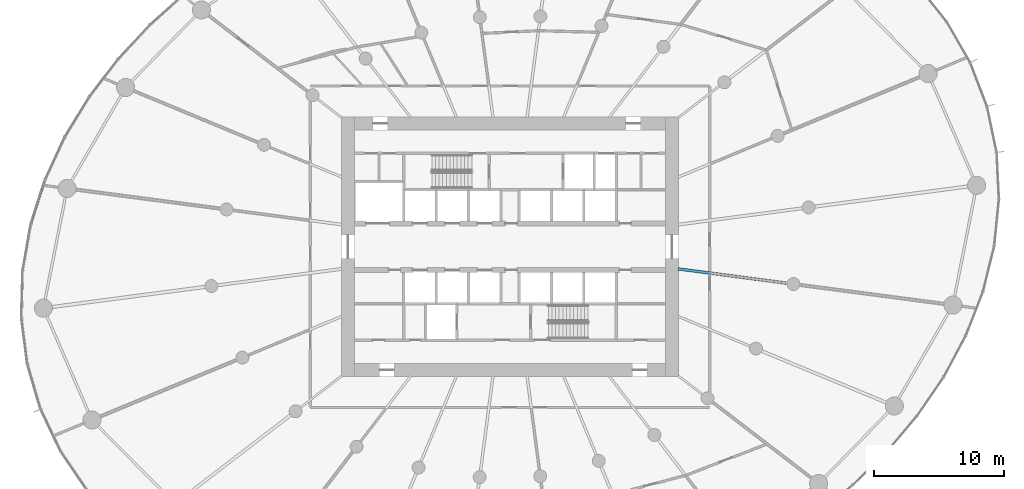
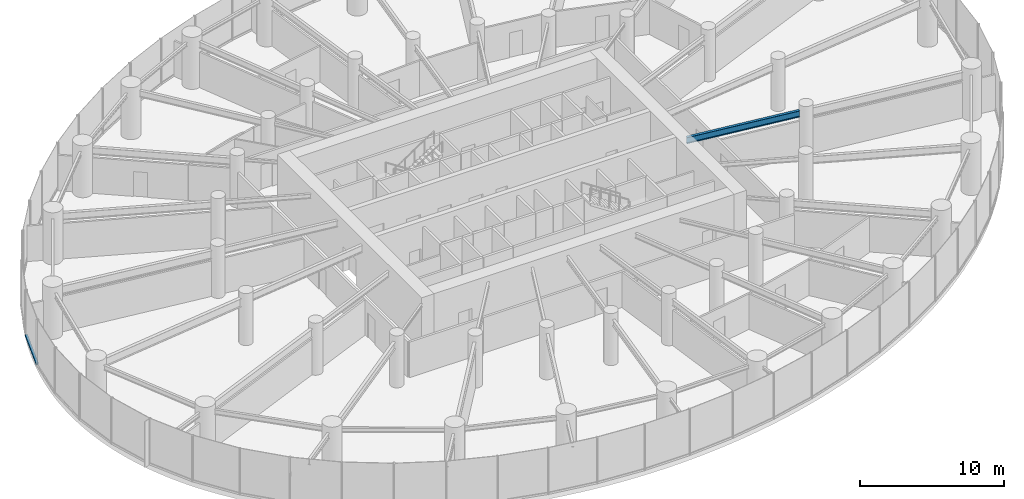
# One storey, part 5 of 18: 1 beam, 1 member, 1 element without a shape of its own.
"""IFC4 building model written with IfcOpenShell, lengths in metres."""

from ifc_helpers import new_model, si_unit, direction, frame, origin, origin_2d, place, context, subcontext, project, spatial, rectangle, i_section, extrude, source, transform, mapped, material, layer, layer_set, material_profile, profile_set, type_object, element, aggregate, save


model = new_model("IFC4")

# Units and contexts
model_context = context("Model", 3, precision=1e-05, world=origin(), true_north=direction((0.0, 1.0)))
body_context = subcontext(model_context, "Body", "Model", "MODEL_VIEW")
ifc_project = project(units=[si_unit("LENGTHUNIT", "METRE"), si_unit("AREAUNIT", "SQUARE_METRE"), si_unit("VOLUMEUNIT", "CUBIC_METRE"), si_unit("PLANEANGLEUNIT", "RADIAN"), si_unit("MASSUNIT", "GRAM", prefix="KILO")], contexts=[model_context])

# Site, building, storey
site_placement = place(None, origin())
site = spatial("IfcSite", under=ifc_project, at=site_placement, CompositionType="ELEMENT")
building_placement = place(site_placement, origin())
building = spatial("IfcBuilding", under=site, at=building_placement, Name="Spindrift Exchange Tower", CompositionType="ELEMENT")
storey_placement = place(building_placement, frame((0.0, 0.0, 71.0)))
storey = spatial("IfcBuildingStorey", under=building, at=storey_placement, Name="L16", CompositionType="ELEMENT", Elevation=71.0)

# Beam
ifc_material_1 = material(Name="Steel Grade 300", Category="steel")
ifc_material_profile_1 = material_profile(ifc_material_1, i_section(OverallWidth=0.208984375, OverallDepth=0.532958984375, WebThickness=0.01025390625, FlangeThickness=0.015625, FilletRadius=0.013916015625, at=origin_2d()), Name="530UB92.4")
ifc_profile_set_1 = profile_set([ifc_material_profile_1], Name="Steel Grade 300")
beam_type = type_object("IfcBeamType", Name="Floor Beam 530UB92.4 Steel Grade 300", PredefinedType="BEAM", material=ifc_profile_set_1)
shared_shape_1 = source(origin(), body_context, "Body", "SweptSolid", [
    extrude(i_section(OverallWidth=0.208984375, OverallDepth=0.532958984375, WebThickness=0.01025390625, FlangeThickness=0.015625, FilletRadius=0.013916015625, at=origin_2d()), origin(), (0.0, 0.0, 1.0), 8.4794921875),
])
beam_placement = place(storey_placement, frame((64.980224609375, 46.291015625, 3.633544921875), z_axis=(0.991446551951, -0.13051335037, 0.0), x_axis=(0.13051335037, 0.991446551951, 0.0)))
element("IfcBeam", 1, at=beam_placement, inside=storey, type_object=beam_type, Name="L16 radial beam R24A", PredefinedType="BEAM", context=body_context, shape_type="MappedRepresentation", body=[
    mapped(shared_shape_1, transform((0.0, 0.0, 0.0), scale=1.0)),
])

# Curtain wall, member
ifc_material_2 = material(Name="Fritted laminated glass with bronze frame", Category="glass")
ifc_layer = layer(ifc_material_2, 0.199951171875)
ifc_layer_set = layer_set([ifc_layer], Name="ZONE 1 BRONZE FRITTED WALL")
curtain_wall_type = type_object("IfcCurtainWallType", Name="ZONE 1 BRONZE FRITTED WALL", PredefinedType="NOTDEFINED", material=ifc_layer_set)
curtain_wall_placement = place(storey_placement, origin())
curtain_wall = element("IfcCurtainWall", 2, at=curtain_wall_placement, inside=storey, type_object=curtain_wall_type, Name="L16 Zone 1 Bronze Fritted Wall run 5", PredefinedType="NOTDEFINED")
ifc_material_3 = material(Name="Bronze anodised aluminium", Category="aluminium")
ifc_material_profile_2 = material_profile(ifc_material_3, rectangle(XDim=0.179931640625, YDim=0.14990234375, at=origin_2d()), Name="ZONE 1 BRONZE FRITTED WALL TRANSOM 180X150")
ifc_profile_set_2 = profile_set([ifc_material_profile_2], Name="Bronze anodised aluminium")
member_type = type_object("IfcMemberType", Name="ZONE 1 BRONZE FRITTED WALL TRANSOM 180X150", PredefinedType="USERDEFINED", material=ifc_profile_set_2)
shared_shape_2 = source(origin(), body_context, "Body", "SweptSolid", [
    extrude(rectangle(XDim=0.179931640625, YDim=0.14990234375, at=origin_2d()), origin(), (0.0, 0.0, 1.0), 3.54541015625),
])
member_placement = place(storey_placement, frame((16.116943359375, 53.140869140625, 0.074951171875), z_axis=(-0.303598697604, -0.952799995179, 0.0), x_axis=(0.952799995179, -0.303598697604, 0.0)))
member = element("IfcMember", 3, at=member_placement, type_object=member_type, Name="L16 transom CW-1.26", ObjectType="TRANSOM", PredefinedType="USERDEFINED", context=body_context, shape_type="MappedRepresentation", body=[
    mapped(shared_shape_2, transform((0.0, 0.0, 0.0), scale=1.0)),
])
aggregate(curtain_wall, [member])

save(model, "model.ifc")
